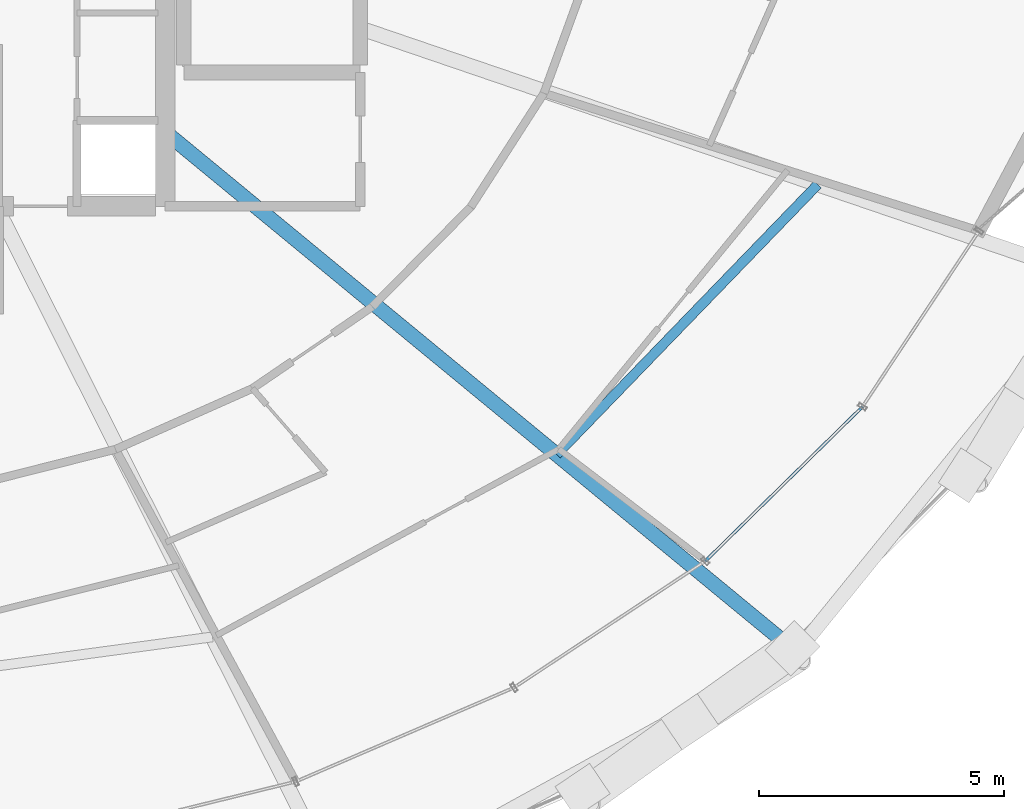
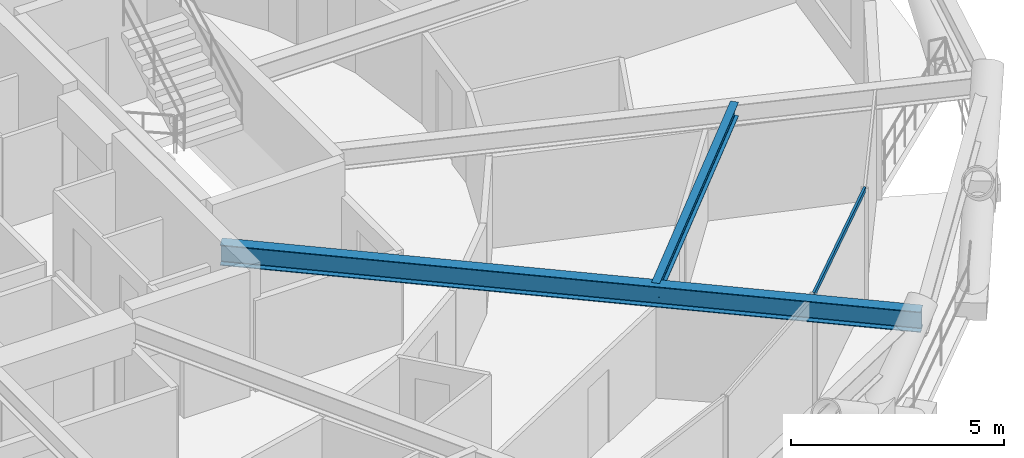
# One storey, part 10 of 20: 2 beams, 1 member, 1 element without a shape of its own.
"""IFC4 building model written with IfcOpenShell, lengths in metres."""

from ifc_helpers import new_model, si_unit, direction, frame, origin, origin_2d, place, context, subcontext, project, spatial, hollow_rectangle, i_section, extrude, material, layer, layer_set, material_profile, profile_set, type_object, element, aggregate, save


model = new_model("IFC4")

# Units and contexts
model_context = context("Model", 3, precision=1e-05, world=origin(), true_north=direction((0.0, 1.0)))
body_context = subcontext(model_context, "Body", "Model", "MODEL_VIEW")
ifc_project = project(units=[si_unit("LENGTHUNIT", "METRE"), si_unit("AREAUNIT", "SQUARE_METRE"), si_unit("VOLUMEUNIT", "CUBIC_METRE"), si_unit("PLANEANGLEUNIT", "RADIAN"), si_unit("MASSUNIT", "GRAM", prefix="KILO")], contexts=[model_context])

# Site, building, storey
site_placement = place(None, origin())
site = spatial("IfcSite", under=ifc_project, at=site_placement, CompositionType="ELEMENT")
building_placement = place(site_placement, origin())
building = spatial("IfcBuilding", under=site, at=building_placement, Name="Veldorina Hangang Commons", CompositionType="ELEMENT")
storey_placement = place(building_placement, frame((0.0, 0.0, 48.39990234375)))
storey = spatial("IfcBuildingStorey", under=building, at=storey_placement, Name="L11", CompositionType="ELEMENT", Elevation=48.39990234375)

# Beams
ifc_material_1 = material(Name="Steel SM460-TMC", Category="steel")
ifc_material_profile_1 = material_profile(ifc_material_1, i_section(OverallWidth=0.300048828125, OverallDepth=0.587890625, WebThickness=0.011962890625, FlangeThickness=0.02001953125, FilletRadius=0.01806640625, at=origin_2d()), Name="H-588x300x12x20")
ifc_profile_set_1 = profile_set([ifc_material_profile_1], Name="Steel SM460-TMC")
beam_type_1 = type_object("IfcBeamType", Name="BM-FG588", PredefinedType="BEAM", material=ifc_profile_set_1)
beam_1_placement = place(storey_placement, frame((39.199951171875, 18.067138671875, 3.046142578125), z_axis=(0.771747509972, -0.635929069042, 0.0), x_axis=(0.635929069042, 0.771747509972, 0.0)))
element("IfcBeam", 1, at=beam_1_placement, inside=storey, type_object=beam_type_1, Name="L11 radial floor girder 15", PredefinedType="BEAM", context=body_context, shape_type="SweptSolid", body=[
    extrude(i_section(OverallWidth=0.300048828125, OverallDepth=0.587890625, WebThickness=0.011962890625, FlangeThickness=0.02001953125, FilletRadius=0.01806640625, at=origin_2d()), origin(), (0.0, 0.0, 1.0), 16.702880859375),
])
ifc_material_2 = material(Name="Steel SM355-TMC", Category="steel")
ifc_material_profile_2 = material_profile(ifc_material_2, i_section(OverallWidth=0.199951171875, OverallDepth=0.39990234375, WebThickness=0.008056640625, FlangeThickness=0.012939453125, FilletRadius=0.012939453125, at=origin_2d()), Name="H-400x200x8x13")
ifc_profile_set_2 = profile_set([ifc_material_profile_2], Name="Steel SM355-TMC")
beam_type_2 = type_object("IfcBeamType", Name="BM-JST400", PredefinedType="JOIST", material=ifc_profile_set_2)
beam_2_placement = place(storey_placement, frame((47.19189453125, 11.4814453125, 3.14013671875), z_axis=(0.695101080423, 0.718912016866, 0.0), x_axis=(-0.718912016866, 0.695101080423, 0.0)))
element("IfcBeam", 2, at=beam_2_placement, inside=storey, type_object=beam_type_2, Name="L11 secondary floor joist 15", PredefinedType="JOIST", context=body_context, shape_type="SweptSolid", body=[
    extrude(i_section(OverallWidth=0.199951171875, OverallDepth=0.39990234375, WebThickness=0.008056640625, FlangeThickness=0.012939453125, FilletRadius=0.012939453125, at=origin_2d()), origin(), (0.0, 0.0, 1.0), 7.66943359375),
])

# Curtain wall, member
ifc_material_3 = material(Name="Glass Low-E Triple IGU", Category="glass")
ifc_layer = layer(ifc_material_3, 0.179931640625)
ifc_layer_set = layer_set([ifc_layer], Name="Glass Low-E Triple IGU")
curtain_wall_type = type_object("IfcCurtainWallType", Name="CW-SYS-Z1", PredefinedType="NOTDEFINED", material=ifc_layer_set)
curtain_wall_placement = place(storey_placement, origin())
curtain_wall = element("IfcCurtainWall", 3, at=curtain_wall_placement, inside=storey, type_object=curtain_wall_type, Name="L11 unitised curtain wall CW-L11-R2", PredefinedType="NOTDEFINED")
ifc_material_4 = material(Name="Aluminium Anodized AA6063-T6", Category="aluminium")
ifc_material_profile_3 = material_profile(ifc_material_4, hollow_rectangle(XDim=0.06005859375, YDim=0.139892578125, WallThickness=0.00341796875, at=origin_2d()), Name="ALU-RHS-140x60x3.5")
ifc_profile_set_3 = profile_set([ifc_material_profile_3], Name="Aluminium Anodized AA6063-T6")
member_type = type_object("IfcMemberType", Name="CW-TRN-140", PredefinedType="USERDEFINED", material=ifc_profile_set_3)
member_placement = place(storey_placement, frame((50.227783203125, 9.3076171875, 3.260009765625), z_axis=(0.713435064689, 0.700721348663, 0.0), x_axis=(-0.700721348663, 0.713435064689, 0.0)))
member = element("IfcMember", 4, at=member_placement, type_object=member_type, Name="CW-L11-R2 facet 4 transom 1", ObjectType="TRANSOM", PredefinedType="USERDEFINED", context=body_context, shape_type="SweptSolid", body=[
    extrude(hollow_rectangle(XDim=0.06005859375, YDim=0.139892578125, WallThickness=0.00341796875, at=origin_2d()), origin(), (0.0, 0.0, 1.0), 4.493408203125),
])
aggregate(curtain_wall, [member])

save(model, "model.ifc")
